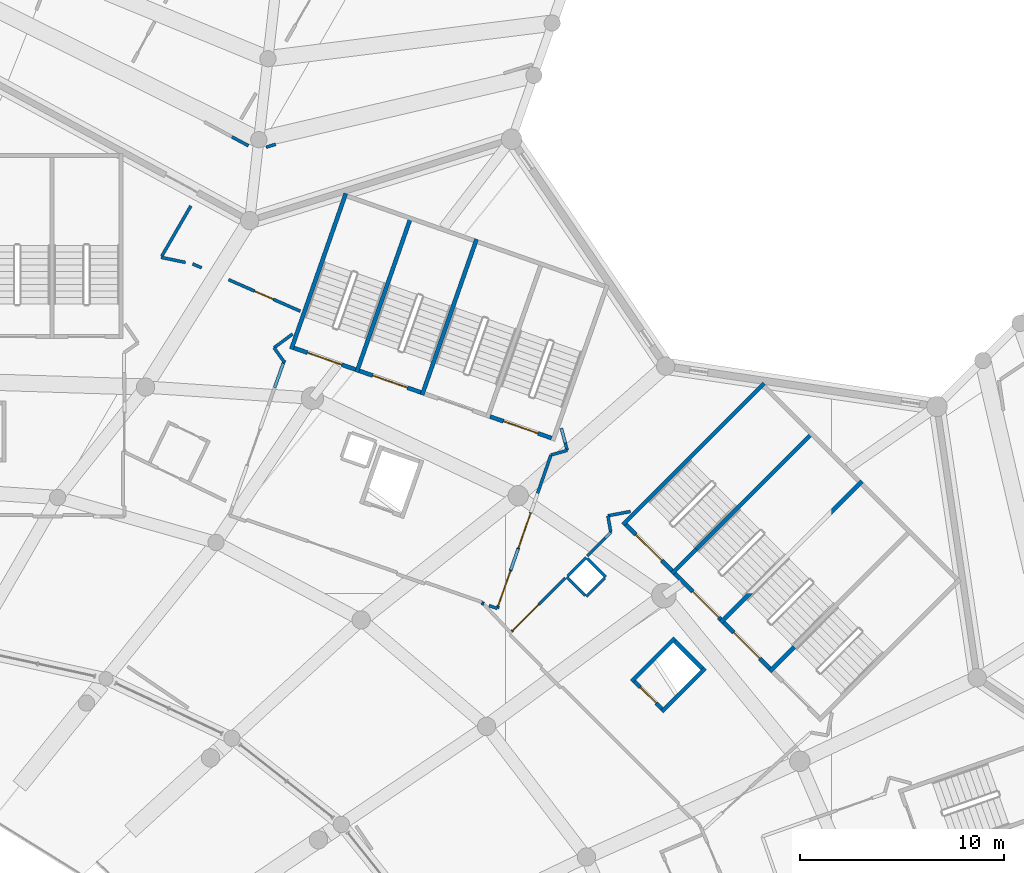
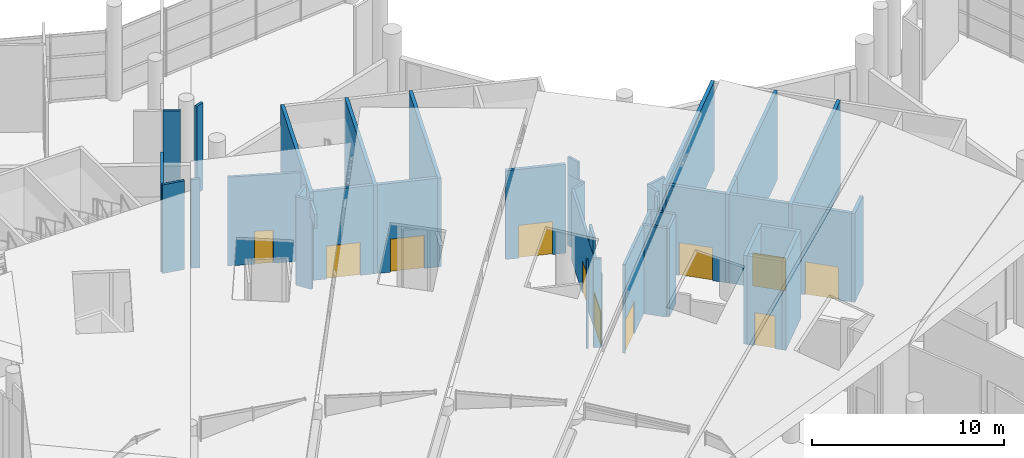
# One storey, part 176 of 249: 43 walls, 11 doors, 11 openings.
"""IFC4 building model written with IfcOpenShell, lengths in metres."""

from ifc_helpers import new_model, si_unit, direction, frame, frame_2d, origin, place, context, subcontext, project, spatial, rectangle, extrude, material, layer, layer_set, type_object, element, fill, save


model = new_model("IFC4")

# Units and contexts
model_context = context("Model", 3, precision=1e-05, world=origin(), true_north=direction((0.0, 1.0)))
body_context = subcontext(model_context, "Body", "Model", "MODEL_VIEW")
ifc_project = project(units=[si_unit("LENGTHUNIT", "METRE"), si_unit("AREAUNIT", "SQUARE_METRE"), si_unit("VOLUMEUNIT", "CUBIC_METRE"), si_unit("PLANEANGLEUNIT", "RADIAN"), si_unit("MASSUNIT", "GRAM", prefix="KILO")], contexts=[model_context])

# Site, building, storey
site_placement = place(None, origin())
site = spatial("IfcSite", under=ifc_project, at=site_placement, CompositionType="ELEMENT")
building_placement = place(site_placement, origin())
building = spatial("IfcBuilding", under=site, at=building_placement, Name="Meseta Stadium", CompositionType="ELEMENT")
storey_placement = place(building_placement, frame((0.0, 0.0, 12.0)))
storey = spatial("IfcBuildingStorey", under=building, at=storey_placement, Name="L02", CompositionType="ELEMENT", Elevation=12.0)

# Walls
ifc_material_1 = material(Name="Concrete C40/50", Category="concrete")
ifc_layer_1 = layer(ifc_material_1, 0.199951171875)
ifc_layer_set_1 = layer_set([ifc_layer_1], Name="Core divider wall 200")
wall_type_1 = type_object("IfcWallType", Name="Core divider wall 200", PredefinedType="SHEAR", material=ifc_layer_set_1)
wall_1_placement = place(storey_placement, frame((78.17333984375, 77.364990234375, 0.0), z_axis=(0.0, 0.0, 1.0), x_axis=(-0.707178586901, -0.707034968179, 0.0)))
element("IfcWall", 1, at=wall_1_placement, inside=storey, type_object=wall_type_1, Name="Core 07 L02 stair A divider wall", PredefinedType="SHEAR", context=body_context, shape_type="SweptSolid", body=[
    extrude(rectangle(XDim=1.699951171875, YDim=0.199951171875, at=frame_2d((0.85009765625, 0.0))), origin(), (0.0, 0.0, 1.0), 5.64990234375),
])
wall_2_placement = place(storey_placement, frame((79.092529296875, 87.90087890625, 0.0), z_axis=(0.0, 0.0, 1.0), x_axis=(-0.707106781187, -0.707106781187, 0.0)))
element("IfcWall", 2, at=wall_2_placement, inside=storey, type_object=wall_type_1, Name="Core 07 L02 stair B divider wall", PredefinedType="SHEAR", context=body_context, shape_type="SweptSolid", body=[
    extrude(rectangle(XDim=8.099853515625, YDim=0.199951171875, at=frame_2d((4.0498046875, 0.0))), origin(), (0.0, 0.0, 1.0), 5.64990234375),
])
wall_3_placement = place(storey_placement, frame((73.364990234375, 82.17333984375, 0.0), z_axis=(0.0, 0.0, 1.0), x_axis=(-0.707034968179, -0.707178586901, 0.0)))
element("IfcWall", 3, at=wall_3_placement, inside=storey, type_object=wall_type_1, Name="Core 07 L02 stair B divider wall", PredefinedType="SHEAR", context=body_context, shape_type="SweptSolid", body=[
    extrude(rectangle(XDim=1.699951171875, YDim=0.199951171875, at=frame_2d((0.85009765625, 0.0))), origin(), (0.0, 0.0, 1.0), 5.64990234375),
])
wall_4_placement = place(storey_placement, frame((59.370849609375, 98.505859375, 0.0), z_axis=(0.0, 0.0, 1.0), x_axis=(-0.330280610426, -0.943882788474, 0.0)))
element("IfcWall", 4, at=wall_4_placement, inside=storey, type_object=wall_type_1, Name="Core 08 L02 stair B divider wall", PredefinedType="SHEAR", context=body_context, shape_type="SweptSolid", body=[
    extrude(rectangle(XDim=8.10009765625, YDim=0.199951171875, at=frame_2d((4.050048828125, 0.0))), origin(), (0.0, 0.0, 1.0), 5.64990234375),
])
ifc_material_2 = material(Name="Concrete C40/50", Category="concrete")
ifc_layer_2 = layer(ifc_material_2, 0.199951171875)
ifc_layer_set_2 = layer_set([ifc_layer_2], Name="Core shaft wall 200")
wall_type_2 = type_object("IfcWallType", Name="Core shaft wall 200", PredefinedType="SHEAR", material=ifc_layer_set_2)
for number, where, z_axis, x_axis, name in (
    (5, (81.496826171875, 85.496826171875, 0.0), (0.0, 0.0, 1.0), (-0.707106781187, -0.707106781187, 0.0), "Core 07 L02 stair wall shared"),
    (6, (76.6884765625, 90.30517578125, 0.0), (0.0, 0.0, 1.0), (-0.707106781187, -0.707106781187, 0.0), "Core 07 L02 stair wall B-side"),
):
    element("IfcWall", number, at=place(storey_placement, frame(where, z_axis=z_axis, x_axis=x_axis)), inside=storey, type_object=wall_type_2, Name=name, PredefinedType="SHEAR", context=body_context, shape_type="SweptSolid", body=[
        extrude(rectangle(XDim=9.800048828125, YDim=0.199951171875, at=frame_2d((4.89990234375, 0.0))), origin(), (0.0, 0.0, 1.0), 5.64990234375),
    ])

# Wall, opening, door
wall_5_placement = place(storey_placement, frame((76.97119140625, 76.304443359375, 0.0), z_axis=(0.0, 0.0, 1.0), x_axis=(-0.707106781187, 0.707106781187, 0.0)))
wall_5 = element("IfcWall", 7, at=wall_5_placement, inside=storey, type_object=wall_type_2, Name="Core 07 L02 stair A2 inner end wall", PredefinedType="SHEAR", context=body_context, shape_type="SweptSolid", body=[
    extrude(rectangle(XDim=3.199951171875, YDim=0.199951171875, at=frame_2d((1.60009765625, 0.0))), origin(), (0.0, 0.0, 1.0), 5.64990234375),
])
opening_1_placement = place(wall_5_placement, frame((0.699951171875, 0.0, 0.0)))
opening_1 = element("IfcOpeningElement", 8, at=opening_1_placement, cuts=wall_5, Name="Opening D1190", PredefinedType="OPENING", context=body_context, shape_type="SweptSolid", body=[
    extrude(rectangle(XDim=1.800048828125, YDim=2.10009765625, at=frame_2d((0.89990234375, 1.050048828125))), frame((0.0, 0.10986328125, 0.0), z_axis=(0.0, -1.0, 0.0), x_axis=(1.0, 0.0, 0.0)), (0.0, 0.0, 1.0), 0.219970703125),
])
ifc_material_3 = material(Name="Steel", Category="steel")
door_type_1 = type_object("IfcDoorType", Name="Stair door 1800x2100", OperationType="DOUBLE_DOOR_SINGLE_SWING", PredefinedType="DOOR", material=ifc_material_3)
door_1_placement = place(opening_1_placement, origin())
door_1 = element("IfcDoor", 9, at=door_1_placement, inside=storey, type_object=door_type_1, Name="Stair A2 door 07 L02", OperationType="DOUBLE_DOOR_SINGLE_SWING", OverallHeight=2.10009765625, OverallWidth=1.800048828125, PredefinedType="DOOR", context=body_context, shape_type="SweptSolid", body=[
    extrude(rectangle(XDim=1.800048828125, YDim=2.10009765625, at=frame_2d((0.89990234375, 1.050048828125))), frame((0.0, 0.02490234375, 0.0), z_axis=(0.0, -1.0, 0.0), x_axis=(1.0, 0.0, 0.0)), (0.0, 0.0, 1.0), 0.050048828125),
])
fill(opening_1, door_1)

wall_6_placement = place(storey_placement, frame((74.567138671875, 78.70849609375, 0.0), z_axis=(0.0, 0.0, 1.0), x_axis=(-0.707106781187, 0.707106781187, 0.0)))
wall_6 = element("IfcWall", 10, at=wall_6_placement, inside=storey, type_object=wall_type_2, Name="Core 07 L02 stair B1 inner end wall", PredefinedType="SHEAR", context=body_context, shape_type="SweptSolid", body=[
    extrude(rectangle(XDim=3.199951171875, YDim=0.199951171875, at=frame_2d((1.60009765625, 0.0))), origin(), (0.0, 0.0, 1.0), 5.64990234375),
])
opening_2_placement = place(wall_6_placement, frame((0.14990234375, 0.0, 0.0)))
opening_2 = element("IfcOpeningElement", 11, at=opening_2_placement, cuts=wall_6, Name="Opening D1185", PredefinedType="OPENING", context=body_context, shape_type="SweptSolid", body=[
    extrude(rectangle(XDim=1.800048828125, YDim=2.10009765625, at=frame_2d((0.89990234375, 1.050048828125))), frame((0.0, 0.10986328125, 0.0), z_axis=(0.0, -1.0, 0.0), x_axis=(1.0, 0.0, 0.0)), (0.0, 0.0, 1.0), 0.219970703125),
])
door_2_placement = place(opening_2_placement, origin())
door_2 = element("IfcDoor", 12, at=door_2_placement, inside=storey, type_object=door_type_1, Name="Stair B1 door 07 L02", OperationType="DOUBLE_DOOR_SINGLE_SWING", OverallHeight=2.10009765625, OverallWidth=1.800048828125, PredefinedType="DOOR", context=body_context, shape_type="SweptSolid", body=[
    extrude(rectangle(XDim=1.800048828125, YDim=2.10009765625, at=frame_2d((0.89990234375, 1.050048828125))), frame((0.0, 0.02490234375, 0.0), z_axis=(0.0, -1.0, 0.0), x_axis=(1.0, 0.0, 0.0)), (0.0, 0.0, 1.0), 0.050048828125),
])
fill(opening_2, door_2)

wall_7_placement = place(storey_placement, frame((72.1630859375, 81.11279296875, 0.0), z_axis=(0.0, 0.0, 1.0), x_axis=(-0.707144925854, 0.707068634461, 0.0)))
wall_7 = element("IfcWall", 13, at=wall_7_placement, inside=storey, type_object=wall_type_2, Name="Core 07 L02 stair B2 inner end wall", PredefinedType="SHEAR", context=body_context, shape_type="SweptSolid", body=[
    extrude(rectangle(XDim=3.2001953125, YDim=0.199951171875, at=frame_2d((1.60009765625, 0.0))), origin(), (0.0, 0.0, 1.0), 5.64990234375),
])
opening_3_placement = place(wall_7_placement, frame((0.699951171875, 0.0, 0.0)))
opening_3 = element("IfcOpeningElement", 14, at=opening_3_placement, cuts=wall_7, Name="Opening D1181", PredefinedType="OPENING", context=body_context, shape_type="SweptSolid", body=[
    extrude(rectangle(XDim=1.800048828125, YDim=2.10009765625, at=frame_2d((0.89990234375, 1.050048828125))), frame((0.0, 0.10986328125, 0.0), z_axis=(0.0, -1.0, 0.0), x_axis=(1.0, 0.0, 0.0)), (0.0, 0.0, 1.0), 0.219970703125),
])
door_3_placement = place(opening_3_placement, origin())
door_3 = element("IfcDoor", 15, at=door_3_placement, inside=storey, type_object=door_type_1, Name="Stair B2 door 07 L02", OperationType="DOUBLE_DOOR_SINGLE_SWING", OverallHeight=2.10009765625, OverallWidth=1.800048828125, PredefinedType="DOOR", context=body_context, shape_type="SweptSolid", body=[
    extrude(rectangle(XDim=1.800048828125, YDim=2.10009765625, at=frame_2d((0.89990234375, 1.050048828125))), frame((0.0, 0.02490234375, 0.0), z_axis=(0.0, -1.0, 0.0), x_axis=(1.0, 0.0, 0.0)), (0.0, 0.0, 1.0), 0.050048828125),
])
fill(opening_3, door_3)

# Walls
for number, where, z_axis, x_axis, name in (
    (16, (73.796875, 76.311767578125, 0.0), (0.0, 0.0, 1.0), (-0.707106781187, -0.707106781187, 0.0), "Core 07 L02 lift shaft wall left"),
    (17, (72.311767578125, 77.796875, 0.0), (0.0, 0.0, 1.0), (-0.707106781187, -0.707106781187, 0.0), "Core 07 L02 lift shaft wall right"),
):
    element("IfcWall", number, at=place(storey_placement, frame(where, z_axis=z_axis, x_axis=x_axis)), inside=storey, type_object=wall_type_2, Name=name, PredefinedType="SHEAR", context=body_context, shape_type="SweptSolid", body=[
        extrude(rectangle(XDim=3.0, YDim=0.199951171875, at=frame_2d((1.5, 0.0))), origin(), (0.0, 0.0, 1.0), 5.64990234375),
    ])
wall_8_placement = place(storey_placement, frame((73.655517578125, 76.311767578125, 0.0), z_axis=(0.0, 0.0, 1.0), x_axis=(-0.707106781187, 0.707106781187, 0.0)))
element("IfcWall", 18, at=wall_8_placement, inside=storey, type_object=wall_type_2, Name="Core 07 L02 lift shaft back wall", PredefinedType="SHEAR", context=body_context, shape_type="SweptSolid", body=[
    extrude(rectangle(XDim=1.900390625, YDim=0.199951171875, at=frame_2d((0.9501953125, 0.0))), origin(), (0.0, 0.0, 1.0), 5.64990234375),
])

# Wall, opening, door
wall_9_placement = place(storey_placement, frame((71.675537109375, 74.331787109375, 0.0), z_axis=(0.0, 0.0, 1.0), x_axis=(-0.707106781187, 0.707106781187, 0.0)))
wall_9 = element("IfcWall", 19, at=wall_9_placement, inside=storey, type_object=wall_type_2, Name="Core 07 L02 lift shaft front wall", PredefinedType="SHEAR", context=body_context, shape_type="SweptSolid", body=[
    extrude(rectangle(XDim=1.900390625, YDim=0.199951171875, at=frame_2d((0.9501953125, 0.0))), origin(), (0.0, 0.0, 1.0), 5.64990234375),
])
opening_4_placement = place(wall_9_placement, frame((0.39990234375, 0.0, 0.0)))
opening_4 = element("IfcOpeningElement", 20, at=opening_4_placement, cuts=wall_9, Name="Opening LD40", PredefinedType="OPENING", context=body_context, shape_type="SweptSolid", body=[
    extrude(rectangle(XDim=1.10009765625, YDim=2.10009765625, at=frame_2d((0.550048828125, 1.050048828125))), frame((0.0, 0.10986328125, 0.0), z_axis=(0.0, -1.0, 0.0), x_axis=(1.0, 0.0, 0.0)), (0.0, 0.0, 1.0), 0.219970703125),
])
ifc_material_4 = material(Name="Steel", Category="steel")
door_type_2 = type_object("IfcDoorType", Name="Lift landing door 1100x2100", OperationType="SLIDING_TO_LEFT", PredefinedType="DOOR", material=ifc_material_4)
door_4_placement = place(opening_4_placement, origin())
door_4 = element("IfcDoor", 21, at=door_4_placement, inside=storey, type_object=door_type_2, Name="Lift landing door LD40", OperationType="SLIDING_TO_RIGHT", OverallHeight=2.10009765625, OverallWidth=1.10009765625, PredefinedType="DOOR", context=body_context, shape_type="SweptSolid", body=[
    extrude(rectangle(XDim=1.10009765625, YDim=2.10009765625, at=frame_2d((0.550048828125, 1.050048828125))), frame((0.0, 0.02490234375, 0.0), z_axis=(0.0, -1.0, 0.0), x_axis=(1.0, 0.0, 0.0)), (0.0, 0.0, 1.0), 0.050048828125),
])
fill(opening_4, door_4)

# Walls
wall_10_placement = place(storey_placement, frame((62.580078125, 97.3828125, 0.0), z_axis=(0.0, 0.0, 1.0), x_axis=(-0.330290006891, -0.943879500438, 0.0)))
element("IfcWall", 22, at=wall_10_placement, inside=storey, type_object=wall_type_2, Name="Core 08 L02 stair wall shared", PredefinedType="SHEAR", context=body_context, shape_type="SweptSolid", body=[
    extrude(rectangle(XDim=8.099853515625, YDim=0.199951171875, at=frame_2d((4.0498046875, 0.0))), origin(), (0.0, 0.0, 1.0), 5.64990234375),
])
wall_11_placement = place(storey_placement, frame((56.16162109375, 99.62890625, 0.0), z_axis=(0.0, 0.0, 1.0), x_axis=(-0.330280610426, -0.943882788474, 0.0)))
element("IfcWall", 23, at=wall_11_placement, inside=storey, type_object=wall_type_2, Name="Core 08 L02 stair wall B-side", PredefinedType="SHEAR", context=body_context, shape_type="SweptSolid", body=[
    extrude(rectangle(XDim=8.10009765625, YDim=0.199951171875, at=frame_2d((4.050048828125, 0.0))), origin(), (0.0, 0.0, 1.0), 5.64990234375),
])

# Wall, opening, door
wall_12_placement = place(storey_placement, frame((66.26171875, 87.618896484375, 0.0), z_axis=(0.0, 0.0, 1.0), x_axis=(-0.943878576031, 0.330292648585, 0.0)))
wall_12 = element("IfcWall", 24, at=wall_12_placement, inside=storey, type_object=wall_type_2, Name="Core 08 L02 stair A1 inner end wall", PredefinedType="SHEAR", context=body_context, shape_type="SweptSolid", body=[
    extrude(rectangle(XDim=3.199951171875, YDim=0.199951171875, at=frame_2d((1.60009765625, 0.0))), origin(), (0.0, 0.0, 1.0), 5.64990234375),
])
opening_5_placement = place(wall_12_placement, frame((0.699951171875, 0.0, 0.0)))
opening_5 = element("IfcOpeningElement", 25, at=opening_5_placement, cuts=wall_12, Name="Opening D1173", PredefinedType="OPENING", context=body_context, shape_type="SweptSolid", body=[
    extrude(rectangle(XDim=1.800048828125, YDim=2.10009765625, at=frame_2d((0.89990234375, 1.050048828125))), frame((0.0, 0.10986328125, 0.0), z_axis=(0.0, -1.0, 0.0), x_axis=(1.0, 0.0, 0.0)), (0.0, 0.0, 1.0), 0.219970703125),
])
door_5_placement = place(opening_5_placement, origin())
door_5 = element("IfcDoor", 26, at=door_5_placement, inside=storey, type_object=door_type_1, Name="Stair A1 door 08 L02", OperationType="DOUBLE_DOOR_SINGLE_SWING", OverallHeight=2.10009765625, OverallWidth=1.800048828125, PredefinedType="DOOR", context=body_context, shape_type="SweptSolid", body=[
    extrude(rectangle(XDim=1.800048828125, YDim=2.10009765625, at=frame_2d((0.89990234375, 1.050048828125))), frame((0.0, 0.02490234375, 0.0), z_axis=(0.0, -1.0, 0.0), x_axis=(1.0, 0.0, 0.0)), (0.0, 0.0, 1.0), 0.050048828125),
])
fill(opening_5, door_5)

wall_13_placement = place(storey_placement, frame((59.843505859375, 89.864990234375, 0.0), z_axis=(0.0, 0.0, 1.0), x_axis=(-0.943886898693, 0.330268863922, 0.0)))
wall_13 = element("IfcWall", 27, at=wall_13_placement, inside=storey, type_object=wall_type_2, Name="Core 08 L02 stair B1 inner end wall", PredefinedType="SHEAR", context=body_context, shape_type="SweptSolid", body=[
    extrude(rectangle(XDim=3.2001953125, YDim=0.199951171875, at=frame_2d((1.60009765625, 0.0))), origin(), (0.0, 0.0, 1.0), 5.64990234375),
])
opening_6_placement = place(wall_13_placement, frame((0.699951171875, 0.0, 0.0)))
opening_6 = element("IfcOpeningElement", 28, at=opening_6_placement, cuts=wall_13, Name="Opening D1168", PredefinedType="OPENING", context=body_context, shape_type="SweptSolid", body=[
    extrude(rectangle(XDim=1.800048828125, YDim=2.10009765625, at=frame_2d((0.89990234375, 1.050048828125))), frame((0.0, 0.10986328125, 0.0), z_axis=(0.0, -1.0, 0.0), x_axis=(1.0, 0.0, 0.0)), (0.0, 0.0, 1.0), 0.219970703125),
])
door_6_placement = place(opening_6_placement, origin())
door_6 = element("IfcDoor", 29, at=door_6_placement, inside=storey, type_object=door_type_1, Name="Stair B1 door 08 L02", OperationType="DOUBLE_DOOR_SINGLE_SWING", OverallHeight=2.10009765625, OverallWidth=1.800048828125, PredefinedType="DOOR", context=body_context, shape_type="SweptSolid", body=[
    extrude(rectangle(XDim=1.800048828125, YDim=2.10009765625, at=frame_2d((0.89990234375, 1.050048828125))), frame((0.0, 0.02490234375, 0.0), z_axis=(0.0, -1.0, 0.0), x_axis=(1.0, 0.0, 0.0)), (0.0, 0.0, 1.0), 0.050048828125),
])
fill(opening_6, door_6)

wall_14_placement = place(storey_placement, frame((56.63427734375, 90.98779296875, 0.0), z_axis=(0.0, 0.0, 1.0), x_axis=(-0.943886898693, 0.330268863922, 0.0)))
wall_14 = element("IfcWall", 30, at=wall_14_placement, inside=storey, type_object=wall_type_2, Name="Core 08 L02 stair B2 inner end wall", PredefinedType="SHEAR", context=body_context, shape_type="SweptSolid", body=[
    extrude(rectangle(XDim=3.2001953125, YDim=0.199951171875, at=frame_2d((1.60009765625, 0.0))), origin(), (0.0, 0.0, 1.0), 5.64990234375),
])
opening_7_placement = place(wall_14_placement, frame((0.699951171875, 0.0, 0.0)))
opening_7 = element("IfcOpeningElement", 31, at=opening_7_placement, cuts=wall_14, Name="Opening D1164", PredefinedType="OPENING", context=body_context, shape_type="SweptSolid", body=[
    extrude(rectangle(XDim=1.800048828125, YDim=2.10009765625, at=frame_2d((0.89990234375, 1.050048828125))), frame((0.0, 0.10986328125, 0.0), z_axis=(0.0, -1.0, 0.0), x_axis=(1.0, 0.0, 0.0)), (0.0, 0.0, 1.0), 0.219970703125),
])
door_7_placement = place(opening_7_placement, origin())
door_7 = element("IfcDoor", 32, at=door_7_placement, inside=storey, type_object=door_type_1, Name="Stair B2 door 08 L02", OperationType="DOUBLE_DOOR_SINGLE_SWING", OverallHeight=2.10009765625, OverallWidth=1.800048828125, PredefinedType="DOOR", context=body_context, shape_type="SweptSolid", body=[
    extrude(rectangle(XDim=1.800048828125, YDim=2.10009765625, at=frame_2d((0.89990234375, 1.050048828125))), frame((0.0, 0.02490234375, 0.0), z_axis=(0.0, -1.0, 0.0), x_axis=(1.0, 0.0, 0.0)), (0.0, 0.0, 1.0), 0.050048828125),
])
fill(opening_7, door_7)

ifc_material_5 = material(Name="Masonry blockwork", Category="masonry")
ifc_layer_3 = layer(ifc_material_5, 0.14990234375)
ifc_layer_set_3 = layer_set([ifc_layer_3], Name="Partition 150")
wall_type_3 = type_object("IfcWallType", Name="Partition 150", PredefinedType="PARTITIONING", material=ifc_layer_set_3)
wall_15_placement = place(storey_placement, frame((53.927490234375, 93.849853515625, 0.0), z_axis=(0.0, 0.0, 1.0), x_axis=(-0.915527241614, 0.402255975546, 0.0)))
wall_15 = element("IfcWall", 33, at=wall_15_placement, inside=storey, type_object=wall_type_3, Name="Partition L02 L02-cell07-2-0w", PredefinedType="PARTITIONING", context=body_context, shape_type="SweptSolid", body=[
    extrude(rectangle(XDim=3.8486328125, YDim=0.14990234375, at=frame_2d((1.92431640625, 0.0))), origin(), (0.0, 0.0, 1.0), 5.64990234375),
])
opening_8_placement = place(wall_15_placement, frame((1.449951171875, 0.0, 0.0)))
opening_8 = element("IfcOpeningElement", 34, at=opening_8_placement, cuts=wall_15, Name="Opening D1158", PredefinedType="OPENING", context=body_context, shape_type="SweptSolid", body=[
    extrude(rectangle(XDim=1.0, YDim=2.10009765625, at=frame_2d((0.5, 1.050048828125))), frame((0.0, 0.0849609375, 0.0), z_axis=(0.0, -1.0, 0.0), x_axis=(1.0, 0.0, 0.0)), (0.0, 0.0, 1.0), 0.169921875),
])
ifc_material_6 = material(Name="Timber", Category="wood")
door_type_3 = type_object("IfcDoorType", Name="Room door 1000x2100", OperationType="NOTDEFINED", PredefinedType="DOOR", material=ifc_material_6)
door_8_placement = place(opening_8_placement, origin())
door_8 = element("IfcDoor", 35, at=door_8_placement, inside=storey, type_object=door_type_3, Name="Room door L02 L02-cell07-2-0w", OperationType="SINGLE_SWING_RIGHT", OverallHeight=2.10009765625, OverallWidth=1.0, PredefinedType="DOOR", context=body_context, shape_type="SweptSolid", body=[
    extrude(rectangle(XDim=1.0, YDim=2.10009765625, at=frame_2d((0.5, 1.050048828125))), frame((0.0, 0.02490234375, 0.0), z_axis=(0.0, -1.0, 0.0), x_axis=(1.0, 0.0, 0.0)), (0.0, 0.0, 1.0), 0.050048828125),
])
fill(opening_8, door_8)

# Walls
wall_16_placement = place(storey_placement, frame((49.082763671875, 95.978515625, 0.0), z_axis=(0.0, 0.0, 1.0), x_axis=(-0.915644030191, 0.401990062035, 0.0)))
element("IfcWall", 36, at=wall_16_placement, inside=storey, type_object=wall_type_3, Name="Partition L02 L02-cell07-2-0w", PredefinedType="PARTITIONING", context=body_context, shape_type="SweptSolid", body=[
    extrude(rectangle(XDim=0.48095703125, YDim=0.14990234375, at=frame_2d((0.240478515625, 0.0))), origin(), (0.0, 0.0, 1.0), 5.64990234375),
])
wall_17_placement = place(storey_placement, frame((48.29150390625, 96.244140625, 0.0), z_axis=(0.0, 0.0, 1.0), x_axis=(-0.979490670734, 0.2014895182, 0.0)))
element("IfcWall", 37, at=wall_17_placement, inside=storey, type_object=wall_type_3, Name="Partition L02 L02-cell07-2-0w", PredefinedType="PARTITIONING", context=body_context, shape_type="SweptSolid", body=[
    extrude(rectangle(XDim=1.22265625, YDim=0.14990234375, at=frame_2d((0.611328125, 0.0))), origin(), (0.0, 0.0, 1.0), 5.64990234375),
])
wall_18_placement = place(storey_placement, frame((47.133544921875, 96.55908203125, 0.0), z_axis=(0.0, 0.0, 1.0), x_axis=(0.500497920682, 0.865737738228, 0.0)))
element("IfcWall", 38, at=wall_18_placement, inside=storey, type_object=wall_type_3, Name="Partition L02 L02-cell07-2-0w", PredefinedType="PARTITIONING", context=body_context, shape_type="SweptSolid", body=[
    extrude(rectangle(XDim=2.8427734375, YDim=0.14990234375, at=frame_2d((1.42138671875, 0.0))), origin(), (0.0, 0.0, 1.0), 5.64990234375),
])
wall_19_placement = place(storey_placement, frame((52.713623046875, 102.041015625, 0.0), z_axis=(0.0, 0.0, 1.0), x_axis=(-0.954976336525, -0.296681979025, 0.0)))
element("IfcWall", 39, at=wall_19_placement, inside=storey, type_object=wall_type_3, Name="Partition L02 L02-ring07-0w", PredefinedType="PARTITIONING", context=body_context, shape_type="SweptSolid", body=[
    extrude(rectangle(XDim=0.48876953125, YDim=0.14990234375, at=frame_2d((0.244384765625, 0.0))), origin(), (0.0, 0.0, 1.0), 5.550048828125),
])
wall_20_placement = place(storey_placement, frame((51.377197265625, 101.96923828125, 0.0), z_axis=(0.0, 0.0, 1.0), x_axis=(-0.879245497971, 0.476368926672, 0.0)))
element("IfcWall", 40, at=wall_20_placement, inside=storey, type_object=wall_type_3, Name="Partition L02 L02-ring07-0w", PredefinedType="PARTITIONING", context=body_context, shape_type="SweptSolid", body=[
    extrude(rectangle(XDim=0.916748046875, YDim=0.14990234375, at=frame_2d((0.45849609375, 0.0))), origin(), (0.0, 0.0, 1.0), 5.550048828125),
])
for number, where, z_axis, x_axis, name in (
    (41, (68.917724609375, 80.802001953125, 0.0), (0.0, 0.0, 1.0), (-0.707106781187, 0.707106781187, 0.0), "Pressurisation shaft wall L02 core 07"),
    (42, (67.963134765625, 81.756591796875, 0.0), (0.0, 0.0, 1.0), (-0.707106781187, -0.707106781187, 0.0), "Pressurisation shaft wall L02 core 07"),
    (43, (67.008544921875, 80.802001953125, 0.0), (0.0, 0.0, 1.0), (0.707106781187, -0.707106781187, 0.0), "Pressurisation shaft wall L02 core 07"),
):
    element("IfcWall", number, at=place(storey_placement, frame(where, z_axis=z_axis, x_axis=x_axis)), inside=storey, type_object=wall_type_3, Name=name, PredefinedType="PARTITIONING", context=body_context, shape_type="SweptSolid", body=[
        extrude(rectangle(XDim=1.275146484375, YDim=0.14990234375, at=frame_2d((0.6376953125, 0.0))), origin(), (0.0, 0.0, 1.0), 5.64990234375),
    ])
wall_21_placement = place(storey_placement, frame((67.963134765625, 79.847412109375, 0.0), z_axis=(0.0, 0.0, 1.0), x_axis=(0.707202523759, 0.707011025648, 0.0)))
element("IfcWall", 44, at=wall_21_placement, inside=storey, type_object=wall_type_3, Name="Pressurisation shaft wall L02 core 07", PredefinedType="PARTITIONING", context=body_context, shape_type="SweptSolid", body=[
    extrude(rectangle(XDim=1.27490234375, YDim=0.14990234375, at=frame_2d((0.637451171875, 0.0))), origin(), (0.0, 0.0, 1.0), 5.64990234375),
])
wall_22_placement = place(storey_placement, frame((70.133544921875, 84.018310546875, 0.0), z_axis=(0.0, 0.0, 1.0), x_axis=(-0.982266484486, -0.187490142289, 0.0)))
element("IfcWall", 45, at=wall_22_placement, inside=storey, type_object=wall_type_3, Name="Stair vestibule wall L02 core 07", PredefinedType="PARTITIONING", context=body_context, shape_type="SweptSolid", body=[
    extrude(rectangle(XDim=1.127685546875, YDim=0.14990234375, at=frame_2d((0.56396484375, 0.0))), origin(), (0.0, 0.0, 1.0), 5.64990234375),
])
wall_23_placement = place(storey_placement, frame((69.02587890625, 83.806884765625, 0.0), z_axis=(0.0, 0.0, 1.0), x_axis=(0.171316329805, -0.985216075357, 0.0)))
element("IfcWall", 46, at=wall_23_placement, inside=storey, type_object=wall_type_3, Name="Stair vestibule wall L02 core 07", PredefinedType="PARTITIONING", context=body_context, shape_type="SweptSolid", body=[
    extrude(rectangle(XDim=0.829345703125, YDim=0.14990234375, at=frame_2d((0.41455078125, 0.0))), origin(), (0.0, 0.0, 1.0), 5.64990234375),
])
wall_24_placement = place(storey_placement, frame((69.16796875, 82.98974609375, 0.0), z_axis=(0.0, 0.0, 1.0), x_axis=(-0.707106781187, -0.707106781187, 0.0)))
element("IfcWall", 47, at=wall_24_placement, inside=storey, type_object=wall_type_3, Name="Stair vestibule wall L02 core 07", PredefinedType="PARTITIONING", context=body_context, shape_type="SweptSolid", body=[
    extrude(rectangle(XDim=1.64306640625, YDim=0.14990234375, at=frame_2d((0.821533203125, 0.0))), origin(), (0.0, 0.0, 1.0), 4.75),
])
wall_25_placement = place(storey_placement, frame((69.16796875, 82.98974609375, 4.75), z_axis=(0.0, 0.0, 1.0), x_axis=(-0.706809490168, -0.707403947267, 0.0)))
element("IfcWall", 48, at=wall_25_placement, inside=storey, type_object=wall_type_3, Name="Stair vestibule wall L02 core 07", PredefinedType="PARTITIONING", context=body_context, shape_type="SweptSolid", body=[
    extrude(rectangle(XDim=0.41064453125, YDim=0.14990234375, at=frame_2d((0.205322265625, 0.0))), origin(), (0.0, 0.0, 1.0), 0.89990234375),
])

# Wall, opening, door
wall_26_placement = place(storey_placement, frame((66.934326171875, 80.756103515625, 0.0), z_axis=(0.0, 0.0, 1.0), x_axis=(-0.707073957383, -0.707139603466, 0.0)))
wall_26 = element("IfcWall", 49, at=wall_26_placement, inside=storey, type_object=wall_type_3, Name="Stair vestibule wall L02 core 07", PredefinedType="PARTITIONING", context=body_context, shape_type="SweptSolid", body=[
    extrude(rectangle(XDim=3.718994140625, YDim=0.14990234375, at=frame_2d((1.859375, 0.0))), origin(), (0.0, 0.0, 1.0), 5.64990234375),
])
opening_9_placement = place(wall_26_placement, frame((1.85009765625, 0.0, 0.0)))
opening_9 = element("IfcOpeningElement", 50, at=opening_9_placement, cuts=wall_26, Name="Opening D1175", PredefinedType="OPENING", context=body_context, shape_type="SweptSolid", body=[
    extrude(rectangle(XDim=1.800048828125, YDim=2.10009765625, at=frame_2d((0.89990234375, 1.050048828125))), frame((0.0, 0.0849609375, 0.0), z_axis=(0.0, -1.0, 0.0), x_axis=(1.0, 0.0, 0.0)), (0.0, 0.0, 1.0), 0.169921875),
])
ifc_material_7 = material(Name="Steel", Category="steel")
door_type_4 = type_object("IfcDoorType", Name="Fire double door 1800x2100 EI2 60", OperationType="DOUBLE_DOOR_SINGLE_SWING", PredefinedType="DOOR", material=ifc_material_7)
door_9_placement = place(opening_9_placement, origin())
door_9 = element("IfcDoor", 51, at=door_9_placement, inside=storey, type_object=door_type_4, Name="Stair vestibule door L02 core 07", OperationType="DOUBLE_DOOR_SINGLE_SWING", OverallHeight=2.10009765625, OverallWidth=1.800048828125, PredefinedType="DOOR", context=body_context, shape_type="SweptSolid", body=[
    extrude(rectangle(XDim=1.800048828125, YDim=2.10009765625, at=frame_2d((0.89990234375, 1.050048828125))), frame((0.0, 0.02490234375, 0.0), z_axis=(0.0, -1.0, 0.0), x_axis=(1.0, 0.0, 0.0)), (0.0, 0.0, 1.0), 0.050048828125),
])
fill(opening_9, door_9)

# Walls
wall_27_placement = place(storey_placement, frame((53.147705078125, 91.4541015625, 4.75), z_axis=(0.0, 0.0, 1.0), x_axis=(-0.333919937106, -0.942601440484, 0.0)))
element("IfcWall", 52, at=wall_27_placement, inside=storey, type_object=wall_type_3, Name="Stair vestibule wall L02 core 08", PredefinedType="PARTITIONING", context=body_context, shape_type="SweptSolid", body=[
    extrude(rectangle(XDim=1.427978515625, YDim=0.14990234375, at=frame_2d((0.7138671875, 0.0))), origin(), (0.0, 0.0, 1.0), 0.89990234375),
])
wall_28_placement = place(storey_placement, frame((62.8310546875, 79.526123046875, 0.0), z_axis=(0.0, 0.0, 1.0), x_axis=(0.944168192904, -0.329463842489, 0.0)))
element("IfcWall", 53, at=wall_28_placement, inside=storey, type_object=wall_type_3, Name="Stair vestibule wall L02 core 08", PredefinedType="PARTITIONING", context=body_context, shape_type="SweptSolid", body=[
    extrude(rectangle(XDim=0.1103515625, YDim=0.14990234375, at=frame_2d((0.05517578125, 0.0))), origin(), (0.0, 0.0, 1.0), 5.64990234375),
])
wall_29_placement = place(storey_placement, frame((63.1953125, 79.398681640625, 0.0), z_axis=(0.0, 0.0, 1.0), x_axis=(0.9439211129, -0.330171065694, 0.0)))
element("IfcWall", 54, at=wall_29_placement, inside=storey, type_object=wall_type_3, Name="Stair vestibule wall L02 core 08", PredefinedType="PARTITIONING", context=body_context, shape_type="SweptSolid", body=[
    extrude(rectangle(XDim=0.42431640625, YDim=0.14990234375, at=frame_2d((0.212158203125, 0.0))), origin(), (0.0, 0.0, 1.0), 5.64990234375),
])

# Wall, openings, doors
wall_30_placement = place(storey_placement, frame((63.595947265625, 79.258544921875, 0.0), z_axis=(0.0, 0.0, 1.0), x_axis=(0.330252316135, 0.94389268865, 0.0)))
wall_30 = element("IfcWall", 55, at=wall_30_placement, inside=storey, type_object=wall_type_3, Name="Stair vestibule wall L02 core 08", PredefinedType="PARTITIONING", context=body_context, shape_type="SweptSolid", body=[
    extrude(rectangle(XDim=7.98095703125, YDim=0.14990234375, at=frame_2d((3.990478515625, 0.0))), origin(), (0.0, 0.0, 1.0), 4.550048828125),
])
opening_10_placement = place(wall_30_placement, frame((0.14990234375, 0.0, 0.0)))
opening_10 = element("IfcOpeningElement", 56, at=opening_10_placement, cuts=wall_30, Name="Opening D1172", PredefinedType="OPENING", context=body_context, shape_type="SweptSolid", body=[
    extrude(rectangle(XDim=1.800048828125, YDim=2.10009765625, at=frame_2d((0.89990234375, 1.050048828125))), frame((0.0, 0.0849609375, 0.0), z_axis=(0.0, -1.0, 0.0), x_axis=(1.0, 0.0, 0.0)), (0.0, 0.0, 1.0), 0.169921875),
])
opening_11_placement = place(wall_30_placement, frame((3.14990234375, 0.0, 0.0)))
opening_11 = element("IfcOpeningElement", 57, at=opening_11_placement, cuts=wall_30, Name="Opening D1174", PredefinedType="OPENING", context=body_context, shape_type="SweptSolid", body=[
    extrude(rectangle(XDim=1.800048828125, YDim=2.10009765625, at=frame_2d((0.89990234375, 1.050048828125))), frame((0.0, 0.0849609375, 0.0), z_axis=(0.0, -1.0, 0.0), x_axis=(1.0, 0.0, 0.0)), (0.0, 0.0, 1.0), 0.169921875),
])
door_10_placement = place(opening_10_placement, origin())
door_10 = element("IfcDoor", 58, at=door_10_placement, inside=storey, type_object=door_type_4, Name="Stair vestibule door L02 core 08", OperationType="DOUBLE_DOOR_SINGLE_SWING", OverallHeight=2.10009765625, OverallWidth=1.800048828125, PredefinedType="DOOR", context=body_context, shape_type="SweptSolid", body=[
    extrude(rectangle(XDim=1.800048828125, YDim=2.10009765625, at=frame_2d((0.89990234375, 1.050048828125))), frame((0.0, 0.02490234375, 0.0), z_axis=(0.0, -1.0, 0.0), x_axis=(1.0, 0.0, 0.0)), (0.0, 0.0, 1.0), 0.050048828125),
])
fill(opening_10, door_10)
door_11_placement = place(opening_11_placement, origin())
door_11 = element("IfcDoor", 59, at=door_11_placement, inside=storey, type_object=door_type_4, Name="Stair vestibule door L02 core 08", OperationType="DOUBLE_DOOR_SINGLE_SWING", OverallHeight=2.10009765625, OverallWidth=1.800048828125, PredefinedType="DOOR", context=body_context, shape_type="SweptSolid", body=[
    extrude(rectangle(XDim=1.800048828125, YDim=2.10009765625, at=frame_2d((0.89990234375, 1.050048828125))), frame((0.0, 0.02490234375, 0.0), z_axis=(0.0, -1.0, 0.0), x_axis=(1.0, 0.0, 0.0)), (0.0, 0.0, 1.0), 0.050048828125),
])
fill(opening_11, door_11)

# Walls
wall_31_placement = place(storey_placement, frame((64.256591796875, 81.146484375, 4.550048828125), z_axis=(0.0, 0.0, 1.0), x_axis=(0.330310872881, 0.943872198582, 0.0)))
element("IfcWall", 60, at=wall_31_placement, inside=storey, type_object=wall_type_3, Name="Stair vestibule wall L02 core 08", PredefinedType="PARTITIONING", context=body_context, shape_type="SweptSolid", body=[
    extrude(rectangle(XDim=1.099853515625, YDim=0.14990234375, at=frame_2d((0.5498046875, 0.0))), origin(), (0.0, 0.0, 1.0), 1.099853515625),
])
wall_32_placement = place(storey_placement, frame((66.231689453125, 86.791748046875, 0.0), z_axis=(0.0, 0.0, 1.0), x_axis=(0.962010898997, 0.273011044119, 0.0)))
element("IfcWall", 61, at=wall_32_placement, inside=storey, type_object=wall_type_3, Name="Stair vestibule wall L02 core 08", PredefinedType="PARTITIONING", context=body_context, shape_type="SweptSolid", body=[
    extrude(rectangle(XDim=0.829833984375, YDim=0.14990234375, at=frame_2d((0.4150390625, 0.0))), origin(), (0.0, 0.0, 1.0), 4.550048828125),
])
wall_33_placement = place(storey_placement, frame((67.030029296875, 87.018310546875, 0.0), z_axis=(0.0, 0.0, 1.0), x_axis=(-0.257379704982, 0.966310347385, 0.0)))
element("IfcWall", 62, at=wall_33_placement, inside=storey, type_object=wall_type_3, Name="Stair vestibule wall L02 core 08", PredefinedType="PARTITIONING", context=body_context, shape_type="SweptSolid", body=[
    extrude(rectangle(XDim=1.1279296875, YDim=0.14990234375, at=frame_2d((0.56396484375, 0.0))), origin(), (0.0, 0.0, 1.0), 4.550048828125),
])
wall_34_placement = place(storey_placement, frame((66.93310546875, 87.381591796875, 4.550048828125), z_axis=(0.0, 0.0, 1.0), x_axis=(-0.257177560454, 0.966364166554, 0.0)))
element("IfcWall", 63, at=wall_34_placement, inside=storey, type_object=wall_type_3, Name="Stair vestibule wall L02 core 08", PredefinedType="PARTITIONING", context=body_context, shape_type="SweptSolid", body=[
    extrude(rectangle(XDim=0.751953125, YDim=0.14990234375, at=frame_2d((0.3759765625, 0.0))), origin(), (0.0, 0.0, 1.0), 1.099853515625),
])
wall_35_placement = place(storey_placement, frame((53.544921875, 92.725341796875, 0.0), z_axis=(0.0, 0.0, 1.0), x_axis=(-0.803622385738, -0.595139530817, 0.0)))
element("IfcWall", 64, at=wall_35_placement, inside=storey, type_object=wall_type_3, Name="Stair vestibule wall L02 core 08", PredefinedType="PARTITIONING", context=body_context, shape_type="SweptSolid", body=[
    extrude(rectangle(XDim=1.127685546875, YDim=0.14990234375, at=frame_2d((0.56396484375, 0.0))), origin(), (0.0, 0.0, 1.0), 5.64990234375),
])
wall_36_placement = place(storey_placement, frame((52.638671875, 92.05419921875, 0.0), z_axis=(0.0, 0.0, 1.0), x_axis=(0.581746441208, -0.813370197476, 0.0)))
element("IfcWall", 65, at=wall_36_placement, inside=storey, type_object=wall_type_3, Name="Stair vestibule wall L02 core 08", PredefinedType="PARTITIONING", context=body_context, shape_type="SweptSolid", body=[
    extrude(rectangle(XDim=0.90869140625, YDim=0.14990234375, at=frame_2d((0.454345703125, 0.0))), origin(), (0.0, 0.0, 1.0), 5.64990234375),
])

save(model, "model.ifc")
